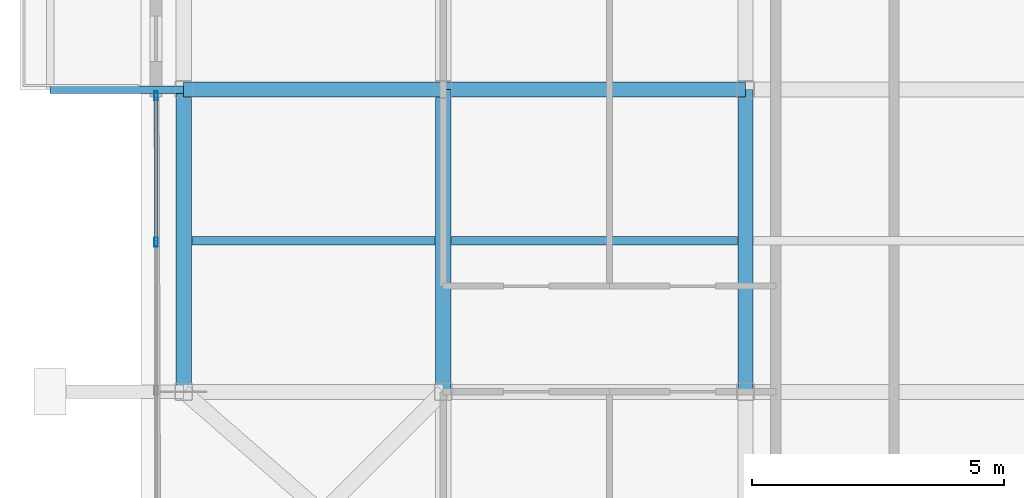
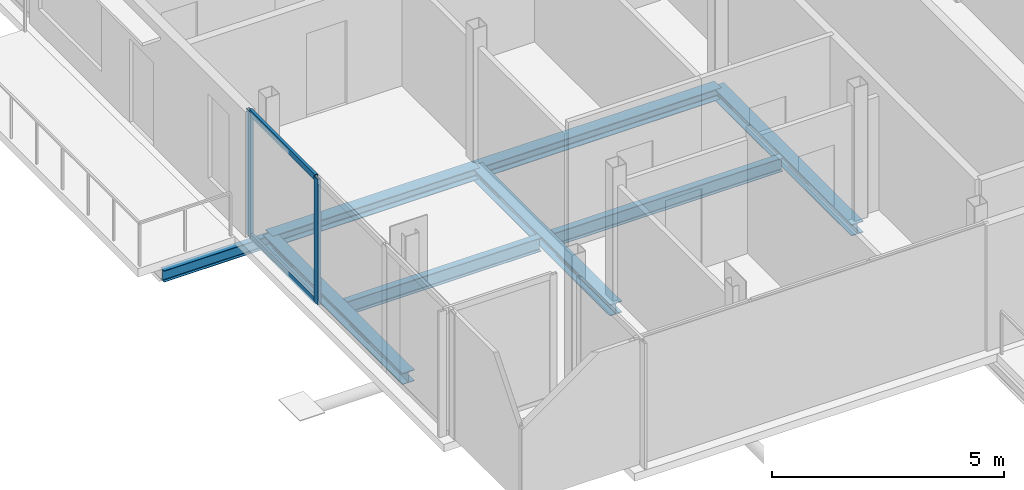
# One storey, part 3 of 18: 8 beams, 4 members, 1 element without a shape of its own.
"""IFC4 building model written with IfcOpenShell, lengths in metres."""

from ifc_helpers import new_model, si_unit, direction, frame, origin, origin_2d, place, context, subcontext, project, spatial, hollow_rectangle, i_section, extrude, material, layer, layer_set, material_profile, profile_set, type_object, element, aggregate, save


model = new_model("IFC4")

# Units and contexts
model_context = context("Model", 3, precision=1e-05, world=origin(), true_north=direction((0.0, 1.0)))
body_context = subcontext(model_context, "Body", "Model", "MODEL_VIEW")
ifc_project = project(units=[si_unit("LENGTHUNIT", "METRE"), si_unit("AREAUNIT", "SQUARE_METRE"), si_unit("VOLUMEUNIT", "CUBIC_METRE"), si_unit("PLANEANGLEUNIT", "RADIAN"), si_unit("MASSUNIT", "GRAM", prefix="KILO"), si_unit("THERMODYNAMICTEMPERATUREUNIT", "KELVIN"), si_unit("POWERUNIT", "WATT")], contexts=[model_context])

# Site, building, storey
site_placement = place(None, origin())
site = spatial("IfcSite", under=ifc_project, at=site_placement, CompositionType="ELEMENT")
building_placement = place(site_placement, origin())
building = spatial("IfcBuilding", under=site, at=building_placement, Name="Svarakhadi Broadcast Tower", CompositionType="ELEMENT")
storey_placement = place(building_placement, frame((0.0, 0.0, 250.199951171875)))
storey = spatial("IfcBuildingStorey", under=building, at=storey_placement, Name="L62", CompositionType="ELEMENT", Elevation=250.199951171875)

# Beams
ifc_material_1 = material(Name="Steel S355J2 (IS 2062 E350C)", Category="steel")
ifc_material_profile_1 = material_profile(ifc_material_1, i_section(OverallWidth=0.169921875, OverallDepth=0.360107421875, WebThickness=0.008056640625, FlangeThickness=0.0126953125, FilletRadius=0.01806640625, at=origin_2d()), Name="NPB 360x170x57")
ifc_profile_set_1 = profile_set([ifc_material_profile_1], Name="Steel S355J2 (IS 2062 E350C)")
beam_type_1 = type_object("IfcBeamType", Name="Beam_NPB360", PredefinedType="BEAM", material=ifc_profile_set_1)
beam_1_placement = place(storey_placement, frame((1.010009765625, 9.0, -0.3798828125), z_axis=(1.0, 0.0, 0.0), x_axis=(0.0, 1.0, 0.0)))
element("IfcBeam", 1, at=beam_1_placement, inside=storey, type_object=beam_type_1, Name="L62 Secondary Composite Beam SB001", PredefinedType="BEAM", context=body_context, shape_type="SweptSolid", body=[
    extrude(i_section(OverallWidth=0.169921875, OverallDepth=0.360107421875, WebThickness=0.008056640625, FlangeThickness=0.0126953125, FilletRadius=0.01806640625, at=origin_2d()), origin(), (0.0, 0.0, 1.0), 4.830078125),
])
beam_2_placement = place(storey_placement, frame((6.159912109375, 9.0, -0.3798828125), z_axis=(1.0, 0.0, 0.0), x_axis=(0.0, 1.0, 0.0)))
element("IfcBeam", 2, at=beam_2_placement, inside=storey, type_object=beam_type_1, Name="L62 Secondary Composite Beam SB005", PredefinedType="BEAM", context=body_context, shape_type="SweptSolid", body=[
    extrude(i_section(OverallWidth=0.169921875, OverallDepth=0.360107421875, WebThickness=0.008056640625, FlangeThickness=0.0126953125, FilletRadius=0.01806640625, at=origin_2d()), origin(), (0.0, 0.0, 1.0), 5.68017578125),
])

# Curtain wall, members
ifc_material_2 = material(Name="Anodised Bronze Aluminium AA 6063-T6", Category="aluminium")
ifc_layer = layer(ifc_material_2, 0.179931640625)
ifc_layer_set = layer_set([ifc_layer], Name="Anodised Bronze Aluminium AA 6063-T6")
curtain_wall_type = type_object("IfcCurtainWallType", Name="CW_Sys_05", PredefinedType="NOTDEFINED", material=ifc_layer_set)
curtain_wall_placement = place(storey_placement, origin())
curtain_wall = element("IfcCurtainWall", 3, at=curtain_wall_placement, inside=storey, type_object=curtain_wall_type, Name="L62 West Curtain Wall 02", PredefinedType="NOTDEFINED")
ifc_material_profile_2 = material_profile(ifc_material_2, hollow_rectangle(XDim=0.070068359375, YDim=0.179931640625, WallThickness=0.005615234375, at=origin_2d()), Name="ALU MULLION 180x70x6")
ifc_profile_set_2 = profile_set([ifc_material_profile_2], Name="Anodised Bronze Aluminium AA 6063-T6")
member_type_1 = type_object("IfcMemberType", Name="CW_Sys_05_Mul", PredefinedType="MULLION", material=ifc_profile_set_2)
member_1_placement = place(storey_placement, frame((0.300048828125, 8.969970703125, 0.0), z_axis=(0.0, 0.0, 1.0), x_axis=(-1.0, 0.0, 0.0)))
member_1 = element("IfcMember", 4, at=member_1_placement, type_object=member_type_1, Name="CW-05 mullion 3", PredefinedType="MULLION", context=body_context, shape_type="SweptSolid", body=[
    extrude(hollow_rectangle(XDim=0.070068359375, YDim=0.179931640625, WallThickness=0.005615234375, at=origin_2d()), origin(), (0.0, 0.0, 1.0), 3.300048828125),
])
member_2_placement = place(storey_placement, frame((0.300048828125, 11.875, 0.0), z_axis=(0.0, 0.0, 1.0), x_axis=(-1.0, 0.0, 0.0)))
member_2 = element("IfcMember", 5, at=member_2_placement, type_object=member_type_1, Name="CW-05 mullion 4", PredefinedType="MULLION", context=body_context, shape_type="SweptSolid", body=[
    extrude(hollow_rectangle(XDim=0.070068359375, YDim=0.179931640625, WallThickness=0.005615234375, at=origin_2d()), origin(), (0.0, 0.0, 1.0), 3.300048828125),
])
ifc_material_profile_3 = material_profile(ifc_material_2, hollow_rectangle(XDim=0.06494140625, YDim=0.1650390625, WallThickness=0.0048828125, at=origin_2d()), Name="ALU TRANSOM 165x65x5")
ifc_profile_set_3 = profile_set([ifc_material_profile_3], Name="Anodised Bronze Aluminium AA 6063-T6")
member_type_2 = type_object("IfcMemberType", Name="CW_Sys_05_Trn", PredefinedType="USERDEFINED", material=ifc_profile_set_3)
member_3_placement = place(storey_placement, frame((0.300048828125, 9.0048828125, 0.032470703125), z_axis=(0.0, 1.0, 0.0), x_axis=(-1.0, 0.0, 0.0)))
member_3 = element("IfcMember", 6, at=member_3_placement, type_object=member_type_2, Name="CW-05 transom 3.1", ObjectType="TRANSOM", PredefinedType="USERDEFINED", context=body_context, shape_type="SweptSolid", body=[
    extrude(hollow_rectangle(XDim=0.06494140625, YDim=0.1650390625, WallThickness=0.0048828125, at=origin_2d()), origin(), (0.0, 0.0, 1.0), 2.835205078125),
])
member_4_placement = place(storey_placement, frame((0.300048828125, 9.0048828125, 3.267578125), z_axis=(0.0, 1.0, 0.0), x_axis=(-1.0, 0.0, 0.0)))
member_4 = element("IfcMember", 7, at=member_4_placement, type_object=member_type_2, Name="CW-05 transom 3.2", ObjectType="TRANSOM", PredefinedType="USERDEFINED", context=body_context, shape_type="SweptSolid", body=[
    extrude(hollow_rectangle(XDim=0.06494140625, YDim=0.1650390625, WallThickness=0.0048828125, at=origin_2d()), origin(), (0.0, 0.0, 1.0), 2.835205078125),
])
aggregate(curtain_wall, [member_1, member_2, member_3, member_4])

# Beams
ifc_material_profile_4 = material_profile(ifc_material_1, i_section(OverallWidth=0.300048828125, OverallDepth=0.300048828125, WebThickness=0.010986328125, FlangeThickness=0.01904296875, FilletRadius=0.027099609375, at=origin_2d()), Name="WPB 300x300x117")
ifc_profile_set_4 = profile_set([ifc_material_profile_4], Name="Steel S355J2 (IS 2062 E350C)")
beam_type_2 = type_object("IfcBeamType", Name="Girder_WPB300", PredefinedType="USERDEFINED", material=ifc_profile_set_4)
beam_3_placement = place(storey_placement, frame((0.85009765625, 12.0, -0.349853515625), z_axis=(1.0, 0.0, 0.0), x_axis=(0.0, 1.0, 0.0)))
element("IfcBeam", 8, at=beam_3_placement, inside=storey, type_object=beam_type_2, Name="L62 Primary E-W Girder G013", ObjectType="GIRDER", PredefinedType="USERDEFINED", context=body_context, shape_type="SweptSolid", body=[
    extrude(i_section(OverallWidth=0.300048828125, OverallDepth=0.300048828125, WebThickness=0.010986328125, FlangeThickness=0.01904296875, FilletRadius=0.027099609375, at=origin_2d()), origin(), (0.0, 0.0, 1.0), 5.14990234375),
])
for number, where, z_axis, x_axis, name in (
    (9, (6.0, 12.0, -0.349853515625), (1.0, 0.0, 0.0), (0.0, 1.0, 0.0), "L62 Primary E-W Girder G014"),
    (10, (0.85009765625, 6.0, -0.349853515625), (0.0, 1.0, 0.0), (-1.0, 0.0, 0.0), "L62 Primary N-S Girder G026"),
    (11, (6.0, 6.0, -0.349853515625), (0.0, 1.0, 0.0), (-1.0, 0.0, 0.0), "L62 Primary N-S Girder G030"),
    (12, (12.0, 6.0, -0.349853515625), (0.0, 1.0, 0.0), (-1.0, 0.0, 0.0), "L62 Primary N-S Girder G034"),
):
    element("IfcBeam", number, at=place(storey_placement, frame(where, z_axis=z_axis, x_axis=x_axis)), inside=storey, type_object=beam_type_2, Name=name, ObjectType="GIRDER", PredefinedType="USERDEFINED", context=body_context, shape_type="SweptSolid", body=[
        extrude(i_section(OverallWidth=0.300048828125, OverallDepth=0.300048828125, WebThickness=0.010986328125, FlangeThickness=0.01904296875, FilletRadius=0.027099609375, at=origin_2d()), origin(), (0.0, 0.0, 1.0), 6.0),
    ])
ifc_material_profile_5 = material_profile(ifc_material_1, i_section(OverallWidth=0.14990234375, OverallDepth=0.300048828125, WebThickness=0.007080078125, FlangeThickness=0.0107421875, FilletRadius=0.014892578125, at=origin_2d()), Name="NPB 300x150x37")
ifc_profile_set_5 = profile_set([ifc_material_profile_5], Name="Steel S355J2 (IS 2062 E350C)")
beam_type_3 = type_object("IfcBeamType", Name="Spandrel_NPB300", PredefinedType="SPANDREL", material=ifc_profile_set_5)
beam_4_placement = place(storey_placement, frame((0.85009765625, 12.0, -0.375), z_axis=(-1.0, 0.0, 0.0), x_axis=(0.0, -1.0, 0.0)))
element("IfcBeam", 13, at=beam_4_placement, inside=storey, type_object=beam_type_3, Name="L62 Balcony Cantilever Bracket 2A", PredefinedType="SPANDREL", context=body_context, shape_type="SweptSolid", body=[
    extrude(i_section(OverallWidth=0.14990234375, OverallDepth=0.300048828125, WebThickness=0.007080078125, FlangeThickness=0.0107421875, FilletRadius=0.014892578125, at=origin_2d()), origin(), (0.0, 0.0, 1.0), 2.650146484375),
])

save(model, "model.ifc")
